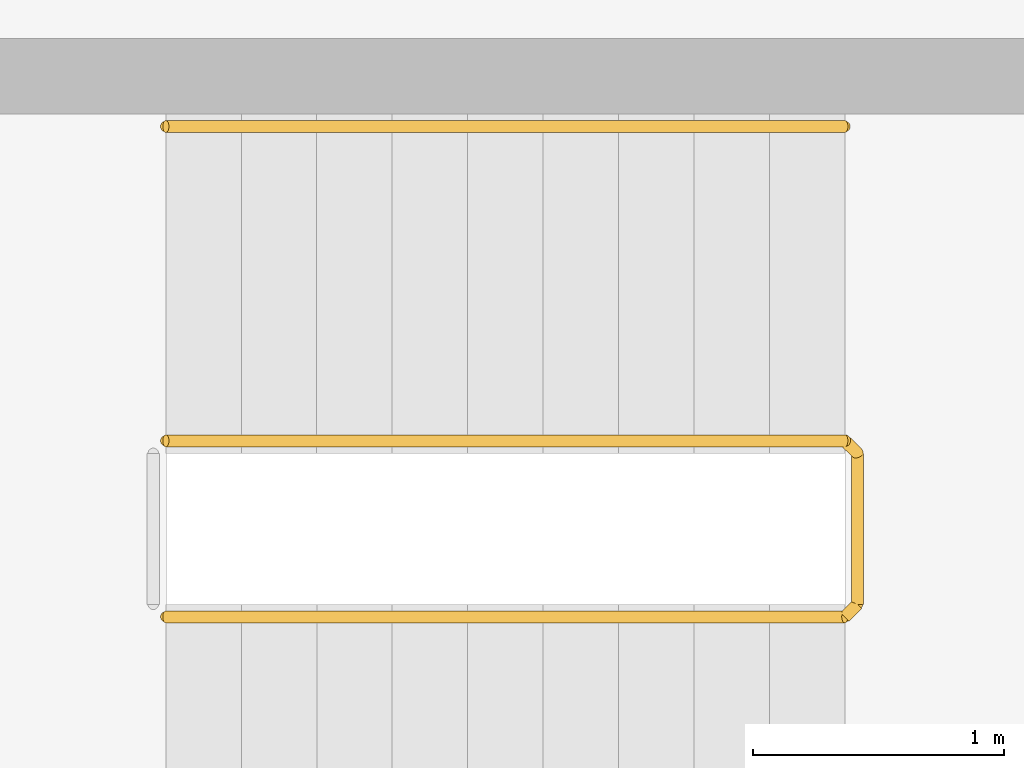
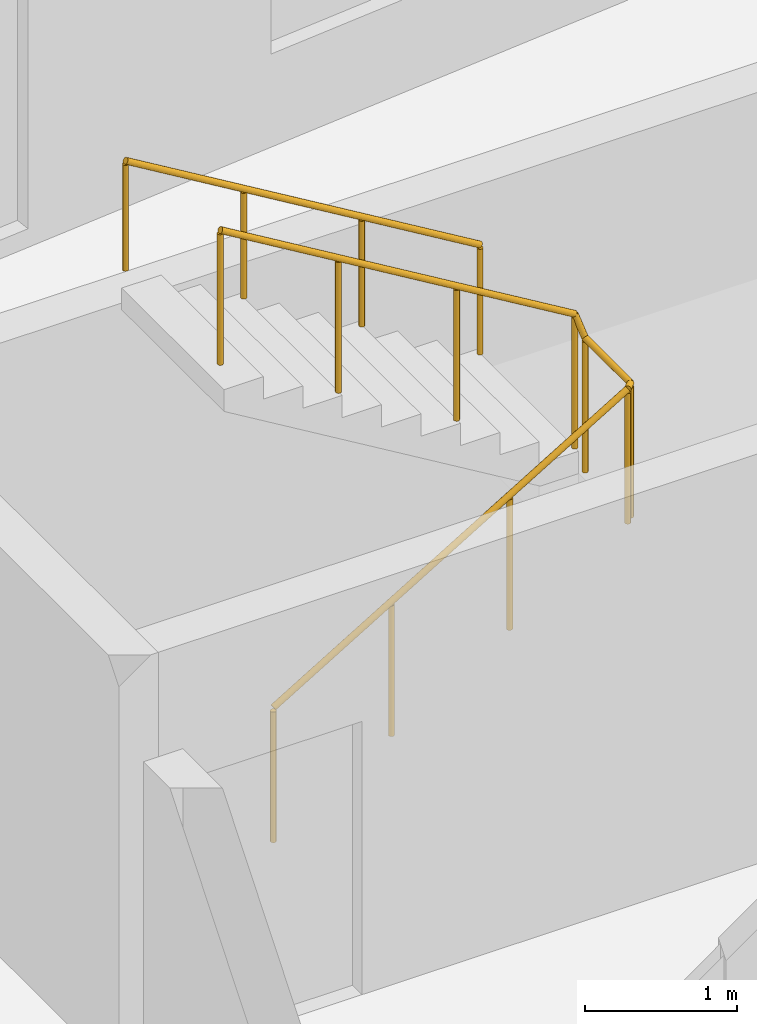
# One storey, part 13 of 13: 2 railings.
"""IFC4 building model written with IfcOpenShell, lengths in metres."""

from ifc_helpers import new_model, si_unit, direction, frame, origin, origin_2d, place, context, subcontext, project, spatial, circle, extrude, material, type_object, element, save


model = new_model("IFC4")

# Units and contexts
model_context = context("Model", 3, precision=1e-05, world=origin(), true_north=direction((0.0, 1.0)))
body_context = subcontext(model_context, "Body", "Model", "MODEL_VIEW")
ifc_project = project(units=[si_unit("LENGTHUNIT", "METRE"), si_unit("AREAUNIT", "SQUARE_METRE"), si_unit("VOLUMEUNIT", "CUBIC_METRE"), si_unit("PLANEANGLEUNIT", "RADIAN"), si_unit("MASSUNIT", "GRAM", prefix="KILO")], contexts=[model_context])

# Site, building, storey
site_placement = place(None, origin())
site = spatial("IfcSite", under=ifc_project, at=site_placement, CompositionType="ELEMENT")
building_placement = place(site_placement, origin())
building = spatial("IfcBuilding", under=site, at=building_placement, Name="Brondeck Convention Tower", CompositionType="ELEMENT")
storey_placement = place(building_placement, frame((0.0, 0.0, 73.5)))
storey = spatial("IfcBuildingStorey", under=building, at=storey_placement, Name="L16", CompositionType="ELEMENT", Elevation=73.5)

# Railings
ifc_material = material(Name="Steel S355", Category="steel")
railing_type_1 = type_object("IfcRailingType", Name="Stair guard 1100", PredefinedType="GUARDRAIL", material=ifc_material)
railing_1_placement = place(storey_placement, frame((37.85009765625, 55.449951171875, 0.179931640625)))
element("IfcRailing", 1, at=railing_1_placement, inside=storey, type_object=railing_type_1, Name="L16 ST-AE stair guard 1", PredefinedType="GUARDRAIL", context=body_context, shape_type="SweptSolid", body=[
    extrude(circle(Radius=0.02392578125, at=origin_2d()), frame((0.0, 0.0, 1.076171875), z_axis=(0.857472400752, 0.0, 0.514529962148), x_axis=(0.0, 1.0, 0.0)), (0.0, 0.0, 1.0), 3.148681640625),
    extrude(circle(Radius=0.02392578125, at=origin_2d()), frame((2.699951171875, 0.0, 2.6962890625), z_axis=(0.707106781187, 0.707106781187, 0.0), x_axis=(-0.707106781187, 0.707106781187, 0.0)), (0.0, 0.0, 1.0), 0.07080078125),
    extrude(circle(Radius=0.02392578125, at=origin_2d()), frame((2.75, 0.050048828125, 2.6962890625), z_axis=(0.0, 1.0, 0.0), x_axis=(-1.0, 0.0, 0.0)), (0.0, 0.0, 1.0), 0.60009765625),
    extrude(circle(Radius=0.02392578125, at=origin_2d()), frame((2.75, 0.650146484375, 2.6962890625), z_axis=(-0.258932105505, 0.257669022063, 0.930892496375), x_axis=(-0.705375805398, -0.708833529934, 0.0)), (0.0, 0.0, 1.0), 0.193359375),
    extrude(circle(Radius=0.02392578125, at=origin_2d()), frame((2.699951171875, 0.699951171875, 2.8759765625), z_axis=(-0.857472400752, 0.0, 0.514529962148), x_axis=(0.0, -1.0, 0.0)), (0.0, 0.0, 1.0), 3.148681640625),
    extrude(circle(Radius=0.02099609375, at=origin_2d()), origin(), (0.0, 0.0, 1.0), 1.052001953125),
    extrude(circle(Radius=0.02099609375, at=origin_2d()), frame((0.89990234375, 0.0, 0.5400390625)), (0.0, 0.0, 1.0), 1.052001953125),
    extrude(circle(Radius=0.02099609375, at=origin_2d()), frame((1.800048828125, 0.0, 1.080078125)), (0.0, 0.0, 1.0), 1.052001953125),
    extrude(circle(Radius=0.02099609375, at=origin_2d()), frame((2.699951171875, 0.0, 1.6201171875)), (0.0, 0.0, 1.0), 1.052001953125),
    extrude(circle(Radius=0.02099609375, at=origin_2d()), frame((2.75, 0.050048828125, 1.6201171875)), (0.0, 0.0, 1.0), 1.052001953125),
    extrude(circle(Radius=0.02099609375, at=origin_2d()), frame((2.75, 0.650146484375, 1.6201171875)), (0.0, 0.0, 1.0), 1.052001953125),
    extrude(circle(Radius=0.02099609375, at=origin_2d()), frame((2.699951171875, 0.699951171875, 1.800048828125)), (0.0, 0.0, 1.0), 1.052001953125),
    extrude(circle(Radius=0.02099609375, at=origin_2d()), frame((1.800048828125, 0.699951171875, 2.340087890625)), (0.0, 0.0, 1.0), 1.052001953125),
    extrude(circle(Radius=0.02099609375, at=origin_2d()), frame((0.89990234375, 0.699951171875, 2.880126953125)), (0.0, 0.0, 1.0), 1.052001953125),
    extrude(circle(Radius=0.02099609375, at=origin_2d()), frame((0.0, 0.699951171875, 3.420166015625)), (0.0, 0.0, 1.0), 1.052001953125),
])
railing_type_2 = type_object("IfcRailingType", Name="Stair handrail", PredefinedType="HANDRAIL", material=ifc_material)
railing_2_placement = place(storey_placement, frame((40.550048828125, 57.39990234375, 1.97998046875)))
element("IfcRailing", 2, at=railing_2_placement, inside=storey, type_object=railing_type_2, Name="L16 ST-AE stair handrail 2", PredefinedType="HANDRAIL", context=body_context, shape_type="SweptSolid", body=[
    extrude(circle(Radius=0.02392578125, at=origin_2d()), frame((0.0, 0.0, 0.8759765625), z_axis=(-0.857472400752, 0.0, 0.514529962148), x_axis=(0.0, -1.0, 0.0)), (0.0, 0.0, 1.0), 3.148681640625),
    extrude(circle(Radius=0.02099609375, at=origin_2d()), origin(), (0.0, 0.0, 1.0), 0.851806640625),
    extrude(circle(Radius=0.02099609375, at=origin_2d()), frame((-0.89990234375, 0.0, 0.5400390625)), (0.0, 0.0, 1.0), 0.851806640625),
    extrude(circle(Radius=0.02099609375, at=origin_2d()), frame((-1.800048828125, 0.0, 1.080078125)), (0.0, 0.0, 1.0), 0.851806640625),
    extrude(circle(Radius=0.02099609375, at=origin_2d()), frame((-2.699951171875, 0.0, 1.6201171875)), (0.0, 0.0, 1.0), 0.851806640625),
])

save(model, "model.ifc")
